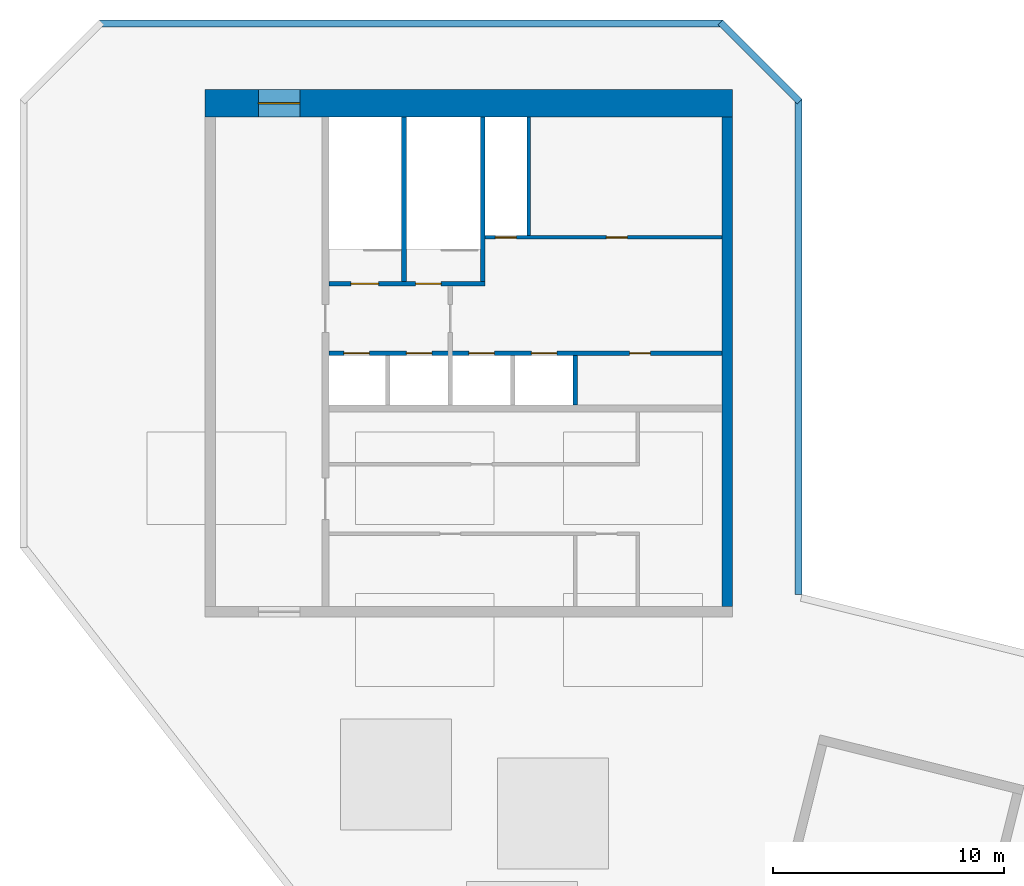
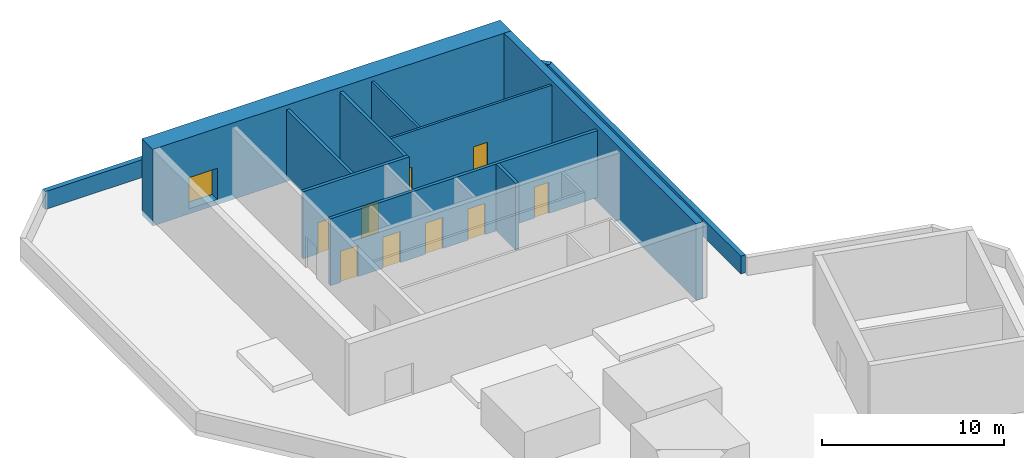
# One storey, part 2 of 4: 12 walls, 10 doors, 10 openings.
"""IFC4 building model written with IfcOpenShell, lengths in metres."""

from ifc_helpers import new_model, si_unit, direction, frame, frame_2d, origin, place, context, subcontext, project, spatial, rectangle, extrude, material, layer, layer_set, type_object, element, fill, save


model = new_model("IFC4")

# Units and contexts
model_context = context("Model", 3, precision=1e-05, world=origin(), true_north=direction((0.0, 1.0)))
body_context = subcontext(model_context, "Body", "Model", "MODEL_VIEW")
ifc_project = project(units=[si_unit("LENGTHUNIT", "METRE"), si_unit("AREAUNIT", "SQUARE_METRE"), si_unit("VOLUMEUNIT", "CUBIC_METRE"), si_unit("PLANEANGLEUNIT", "RADIAN"), si_unit("MASSUNIT", "GRAM", prefix="KILO")], contexts=[model_context])

# Site, building, storey
site_placement = place(None, origin())
site = spatial("IfcSite", under=ifc_project, at=site_placement, CompositionType="ELEMENT")
building_placement = place(site_placement, origin())
building = spatial("IfcBuilding", under=site, at=building_placement, Name="Meshkara Civic Tower", CompositionType="ELEMENT")
storey_placement = place(building_placement, frame((0.0, 0.0, 429.0)))
storey = spatial("IfcBuildingStorey", under=building, at=storey_placement, Name="Roof", CompositionType="ELEMENT", Elevation=429.0)

# Wall, openings, doors
ifc_material_1 = material(Name="Blockwork", Category="masonry")
ifc_layer_1 = layer(ifc_material_1, 0.14990234375)
ifc_layer_set_1 = layer_set([ifc_layer_1], Name="Core partition 150")
wall_type_1 = type_object("IfcWallType", Name="Core partition 150", PredefinedType="PARTITIONING", material=ifc_layer_set_1)
wall_1_placement = place(storey_placement, frame((20.10009765625, 30.5, 0.0), z_axis=(0.0, 0.0, 1.0), x_axis=(1.0, 0.0, 0.0)))
wall_1 = element("IfcWall", 1, at=wall_1_placement, inside=storey, type_object=wall_type_1, Name="Roof-C010", PredefinedType="PARTITIONING", context=body_context, shape_type="SweptSolid", body=[
    extrude(rectangle(XDim=10.25, YDim=0.14990234375, at=frame_2d((5.125, 0.0))), origin(), (0.0, 0.0, 1.0), 4.5),
])
opening_1_placement = place(wall_1_placement, frame((0.449951171875, 0.0, 0.0)))
opening_1 = element("IfcOpeningElement", 2, at=opening_1_placement, cuts=wall_1, Name="Opening Roof-K009", PredefinedType="OPENING", context=body_context, shape_type="SweptSolid", body=[
    extrude(rectangle(XDim=0.89990234375, YDim=2.10009765625, at=frame_2d((0.449951171875, 1.050048828125))), frame((0.0, 0.0849609375, 0.0), z_axis=(0.0, -1.0, 0.0), x_axis=(1.0, 0.0, 0.0)), (0.0, 0.0, 1.0), 0.169921875),
])
opening_2_placement = place(wall_1_placement, frame((5.25, 0.0, 0.0)))
opening_2 = element("IfcOpeningElement", 3, at=opening_2_placement, cuts=wall_1, Name="Opening Roof-K010", PredefinedType="OPENING", context=body_context, shape_type="SweptSolid", body=[
    extrude(rectangle(XDim=0.89990234375, YDim=2.10009765625, at=frame_2d((0.449951171875, 1.050048828125))), frame((0.0, 0.0849609375, 0.0), z_axis=(0.0, -1.0, 0.0), x_axis=(1.0, 0.0, 0.0)), (0.0, 0.0, 1.0), 0.169921875),
])
ifc_material_2 = material(Name="Timber door leaf in steel frame", Category="steel")
door_type_1 = type_object("IfcDoorType", Name="Core room door 900", OperationType="SINGLE_SWING_LEFT", PredefinedType="DOOR", material=ifc_material_2)
door_1_placement = place(opening_2_placement, origin())
door_1 = element("IfcDoor", 4, at=door_1_placement, inside=storey, type_object=door_type_1, Name="Roof-K010", OperationType="SINGLE_SWING_LEFT", OverallHeight=2.10009765625, OverallWidth=0.89990234375, PredefinedType="DOOR", context=body_context, shape_type="SweptSolid", body=[
    extrude(rectangle(XDim=0.89990234375, YDim=2.10009765625, at=frame_2d((0.449951171875, 1.050048828125))), frame((0.0, 0.02490234375, 0.0), z_axis=(0.0, -1.0, 0.0), x_axis=(1.0, 0.0, 0.0)), (0.0, 0.0, 1.0), 0.050048828125),
])
fill(opening_2, door_1)
ifc_material_3 = material(Name="Fire-rated door leaf in steel frame", Category="steel")
door_type_2 = type_object("IfcDoorType", Name="Riser door 900", OperationType="SINGLE_SWING_LEFT", PredefinedType="DOOR", material=ifc_material_3)
door_2_placement = place(opening_1_placement, origin())
door_2 = element("IfcDoor", 5, at=door_2_placement, inside=storey, type_object=door_type_2, Name="Roof-K009", OperationType="SINGLE_SWING_RIGHT", OverallHeight=2.10009765625, OverallWidth=0.89990234375, PredefinedType="DOOR", context=body_context, shape_type="SweptSolid", body=[
    extrude(rectangle(XDim=0.89990234375, YDim=2.10009765625, at=frame_2d((0.449951171875, 1.050048828125))), frame((0.0, 0.02490234375, 0.0), z_axis=(0.0, -1.0, 0.0), x_axis=(1.0, 0.0, 0.0)), (0.0, 0.0, 1.0), 0.050048828125),
])
fill(opening_1, door_2)

# Wall
wall_2_placement = place(storey_placement, frame((22.0, 30.574951171875, 0.0), z_axis=(0.0, 0.0, 1.0), x_axis=(0.0, 1.0, 0.0)))
element("IfcWall", 6, at=wall_2_placement, inside=storey, type_object=wall_type_1, Name="Roof-C017", PredefinedType="PARTITIONING", context=body_context, shape_type="SweptSolid", body=[
    extrude(rectangle(XDim=5.125, YDim=0.14990234375, at=frame_2d((2.5625, 0.0))), origin(), (0.0, 0.0, 1.0), 4.5),
])

# Wall, opening, door
ifc_material_4 = material(Name="Concrete C50", Category="concrete")
ifc_layer_2 = layer(ifc_material_4, 1.199951171875)
ifc_layer_set_2 = layer_set([ifc_layer_2], Name="Core ring wall 1200 C50")
wall_type_2 = type_object("IfcWallType", Name="Core ring wall 1200 C50", PredefinedType="SHEAR", material=ifc_layer_set_2)
wall_3_placement = place(storey_placement, frame((8.0, 36.300048828125, -0.35009765625), z_axis=(0.0, 0.0, 1.0), x_axis=(1.0, 0.0, 0.0)))
wall_3 = element("IfcWall", 7, at=wall_3_placement, inside=storey, type_object=wall_type_2, Name="Roof-C002", PredefinedType="SHEAR", context=body_context, shape_type="SweptSolid", body=[
    extrude(rectangle(XDim=22.800048828125, YDim=1.199951171875, at=frame_2d((11.39990234375, 0.0))), origin(), (0.0, 0.0, 1.0), 5.150146484375),
])
opening_3_placement = place(wall_3_placement, frame((2.300048828125, 0.0, 0.35009765625)))
opening_3 = element("IfcOpeningElement", 8, at=opening_3_placement, cuts=wall_3, Name="Opening Roof-K016", PredefinedType="OPENING", context=body_context, shape_type="SweptSolid", body=[
    extrude(rectangle(XDim=1.800048828125, YDim=2.10009765625, at=frame_2d((0.89990234375, 1.050048828125))), frame((0.0, 0.60986328125, 0.0), z_axis=(0.0, -1.0, 0.0), x_axis=(1.0, 0.0, 0.0)), (0.0, 0.0, 1.0), 1.219970703125),
])
ifc_material_5 = material(Name="Fire-rated door leaf in steel frame", Category="steel")
door_type_3 = type_object("IfcDoorType", Name="Core double door 1800 EI 60", OperationType="DOUBLE_DOOR_SINGLE_SWING", PredefinedType="DOOR", material=ifc_material_5)
door_3_placement = place(opening_3_placement, origin())
door_3 = element("IfcDoor", 9, at=door_3_placement, inside=storey, type_object=door_type_3, Name="Roof-K016", OperationType="DOUBLE_DOOR_SINGLE_SWING", OverallHeight=2.10009765625, OverallWidth=1.800048828125, PredefinedType="DOOR", context=body_context, shape_type="SweptSolid", body=[
    extrude(rectangle(XDim=1.800048828125, YDim=2.10009765625, at=frame_2d((0.89990234375, 1.050048828125))), frame((0.0, 0.02490234375, 0.0), z_axis=(0.0, -1.0, 0.0), x_axis=(1.0, 0.0, 0.0)), (0.0, 0.0, 1.0), 0.050048828125),
])
fill(opening_3, door_3)

# Walls
ifc_material_6 = material(Name="Concrete C50", Category="concrete")
ifc_layer_3 = layer(ifc_material_6, 0.449951171875)
ifc_layer_set_3 = layer_set([ifc_layer_3], Name="Core ring wall 450 C50")
wall_type_3 = type_object("IfcWallType", Name="Core ring wall 450 C50", PredefinedType="SHEAR", material=ifc_layer_set_3)
wall_4_placement = place(storey_placement, frame((30.574951171875, 14.550048828125, -0.35009765625), z_axis=(0.0, 0.0, 1.0), x_axis=(0.0, 1.0, 0.0)))
element("IfcWall", 10, at=wall_4_placement, inside=storey, type_object=wall_type_3, Name="Roof-C004", PredefinedType="SHEAR", context=body_context, shape_type="SweptSolid", body=[
    extrude(rectangle(XDim=21.14990234375, YDim=0.449951171875, at=frame_2d((10.574951171875, 0.0))), origin(), (0.0, 0.0, 1.0), 5.150146484375),
])
ifc_material_7 = material(Name="Concrete C40", Category="concrete")
ifc_layer_4 = layer(ifc_material_7, 0.300048828125)
ifc_layer_set_4 = layer_set([ifc_layer_4], Name="ROOF EDGE PARAPET 300")
wall_type_4 = type_object("IfcWallType", Name="ROOF EDGE PARAPET 300", PredefinedType="PARAPET", material=ifc_layer_set_4)
wall_5_placement = place(storey_placement, frame((33.64990234375, 15.071044921875, 0.0), z_axis=(0.0, 0.0, 1.0), x_axis=(0.0, 1.0, 0.0)))
element("IfcWall", 11, at=wall_5_placement, inside=storey, type_object=wall_type_4, Name="Roof parapet", PredefinedType="PARAPET", context=body_context, shape_type="SweptSolid", body=[
    extrude(rectangle(XDim=21.408935546875, YDim=0.300048828125, at=frame_2d((10.70458984375, 0.0))), origin(), (0.0, 0.0, 1.0), 1.199951171875),
])
wall_6_placement = place(storey_placement, frame((33.694091796875, 36.3740234375, 0.0), z_axis=(0.0, 0.0, 1.0), x_axis=(-0.707132019226, 0.707081542246, 0.0)))
element("IfcWall", 12, at=wall_6_placement, inside=storey, type_object=wall_type_4, Name="Roof parapet", PredefinedType="PARAPET", context=body_context, shape_type="SweptSolid", body=[
    extrude(rectangle(XDim=4.836669921875, YDim=0.300048828125, at=frame_2d((2.41845703125, 0.0))), origin(), (0.0, 0.0, 1.0), 1.199951171875),
])
wall_7_placement = place(storey_placement, frame((30.3798828125, 39.75, 0.0), z_axis=(0.0, 0.0, 1.0), x_axis=(-1.0, 0.0, 0.0)))
element("IfcWall", 13, at=wall_7_placement, inside=storey, type_object=wall_type_4, Name="Roof parapet", PredefinedType="PARAPET", context=body_context, shape_type="SweptSolid", body=[
    extrude(rectangle(XDim=26.9599609375, YDim=0.300048828125, at=frame_2d((13.47998046875, 0.0))), origin(), (0.0, 0.0, 1.0), 1.199951171875),
])

# Wall, openings, doors
ifc_material_8 = material(Name="Concrete C40/50", Category="concrete")
ifc_layer_5 = layer(ifc_material_8, 0.199951171875)
ifc_layer_set_5 = layer_set([ifc_layer_5], Name="Shaft wall 200 C40/50")
wall_type_5 = type_object("IfcWallType", Name="Shaft wall 200 C40/50", PredefinedType="SOLIDWALL", material=ifc_layer_set_5)
wall_8_placement = place(storey_placement, frame((13.35009765625, 25.5, 0.0), z_axis=(0.0, 0.0, 1.0), x_axis=(1.0, 0.0, 0.0)))
wall_8 = element("IfcWall", 14, at=wall_8_placement, inside=storey, type_object=wall_type_5, Name="Roof-C008", PredefinedType="SOLIDWALL", context=body_context, shape_type="SweptSolid", body=[
    extrude(rectangle(XDim=17.0, YDim=0.199951171875, at=frame_2d((8.5, 0.0))), origin(), (0.0, 0.0, 1.0), 4.5),
])
opening_4_placement = place(wall_8_placement, frame((0.64990234375, 0.0, 0.0)))
opening_4 = element("IfcOpeningElement", 15, at=opening_4_placement, cuts=wall_8, Name="Opening Roof-K001", PredefinedType="OPENING", context=body_context, shape_type="SweptSolid", body=[
    extrude(rectangle(XDim=1.10009765625, YDim=2.10009765625, at=frame_2d((0.550048828125, 1.050048828125))), frame((0.0, 0.10986328125, 0.0), z_axis=(0.0, -1.0, 0.0), x_axis=(1.0, 0.0, 0.0)), (0.0, 0.0, 1.0), 0.219970703125),
])
opening_5_placement = place(wall_8_placement, frame((3.35009765625, 0.0, 0.0)))
opening_5 = element("IfcOpeningElement", 16, at=opening_5_placement, cuts=wall_8, Name="Opening Roof-K002", PredefinedType="OPENING", context=body_context, shape_type="SweptSolid", body=[
    extrude(rectangle(XDim=1.10009765625, YDim=2.10009765625, at=frame_2d((0.550048828125, 1.050048828125))), frame((0.0, 0.10986328125, 0.0), z_axis=(0.0, -1.0, 0.0), x_axis=(1.0, 0.0, 0.0)), (0.0, 0.0, 1.0), 0.219970703125),
])
opening_6_placement = place(wall_8_placement, frame((6.050048828125, 0.0, 0.0)))
opening_6 = element("IfcOpeningElement", 17, at=opening_6_placement, cuts=wall_8, Name="Opening Roof-K003", PredefinedType="OPENING", context=body_context, shape_type="SweptSolid", body=[
    extrude(rectangle(XDim=1.10009765625, YDim=2.10009765625, at=frame_2d((0.550048828125, 1.050048828125))), frame((0.0, 0.10986328125, 0.0), z_axis=(0.0, -1.0, 0.0), x_axis=(1.0, 0.0, 0.0)), (0.0, 0.0, 1.0), 0.219970703125),
])
opening_7_placement = place(wall_8_placement, frame((8.75, 0.0, 0.0)))
opening_7 = element("IfcOpeningElement", 18, at=opening_7_placement, cuts=wall_8, Name="Opening Roof-K004", PredefinedType="OPENING", context=body_context, shape_type="SweptSolid", body=[
    extrude(rectangle(XDim=1.10009765625, YDim=2.10009765625, at=frame_2d((0.550048828125, 1.050048828125))), frame((0.0, 0.10986328125, 0.0), z_axis=(0.0, -1.0, 0.0), x_axis=(1.0, 0.0, 0.0)), (0.0, 0.0, 1.0), 0.219970703125),
])
opening_8_placement = place(wall_8_placement, frame((13.0, 0.0, 0.0)))
opening_8 = element("IfcOpeningElement", 19, at=opening_8_placement, cuts=wall_8, Name="Opening Roof-K008", PredefinedType="OPENING", context=body_context, shape_type="SweptSolid", body=[
    extrude(rectangle(XDim=0.89990234375, YDim=2.10009765625, at=frame_2d((0.449951171875, 1.050048828125))), frame((0.0, 0.10986328125, 0.0), z_axis=(0.0, -1.0, 0.0), x_axis=(1.0, 0.0, 0.0)), (0.0, 0.0, 1.0), 0.219970703125),
])
door_4_placement = place(opening_8_placement, origin())
door_4 = element("IfcDoor", 20, at=door_4_placement, inside=storey, type_object=door_type_1, Name="Roof-K008", OperationType="SINGLE_SWING_LEFT", OverallHeight=2.10009765625, OverallWidth=0.89990234375, PredefinedType="DOOR", context=body_context, shape_type="SweptSolid", body=[
    extrude(rectangle(XDim=0.89990234375, YDim=2.10009765625, at=frame_2d((0.449951171875, 1.050048828125))), frame((0.0, 0.02490234375, 0.0), z_axis=(0.0, -1.0, 0.0), x_axis=(1.0, 0.0, 0.0)), (0.0, 0.0, 1.0), 0.050048828125),
])
fill(opening_8, door_4)
ifc_material_9 = material(Name="Stainless steel landing door", Category="steel")
door_type_4 = type_object("IfcDoorType", Name="Lift landing door 1100", OperationType="SLIDING_TO_LEFT", PredefinedType="DOOR", material=ifc_material_9)
door_5_placement = place(opening_4_placement, origin())
door_5 = element("IfcDoor", 21, at=door_5_placement, inside=storey, type_object=door_type_4, Name="Roof-K001", OperationType="SLIDING_TO_LEFT", OverallHeight=2.10009765625, OverallWidth=1.10009765625, PredefinedType="DOOR", context=body_context, shape_type="SweptSolid", body=[
    extrude(rectangle(XDim=1.10009765625, YDim=2.10009765625, at=frame_2d((0.550048828125, 1.050048828125))), frame((0.0, 0.02490234375, 0.0), z_axis=(0.0, -1.0, 0.0), x_axis=(1.0, 0.0, 0.0)), (0.0, 0.0, 1.0), 0.050048828125),
])
fill(opening_4, door_5)
door_6_placement = place(opening_5_placement, origin())
door_6 = element("IfcDoor", 22, at=door_6_placement, inside=storey, type_object=door_type_4, Name="Roof-K002", OperationType="SLIDING_TO_LEFT", OverallHeight=2.10009765625, OverallWidth=1.10009765625, PredefinedType="DOOR", context=body_context, shape_type="SweptSolid", body=[
    extrude(rectangle(XDim=1.10009765625, YDim=2.10009765625, at=frame_2d((0.550048828125, 1.050048828125))), frame((0.0, 0.02490234375, 0.0), z_axis=(0.0, -1.0, 0.0), x_axis=(1.0, 0.0, 0.0)), (0.0, 0.0, 1.0), 0.050048828125),
])
fill(opening_5, door_6)
door_7_placement = place(opening_6_placement, origin())
door_7 = element("IfcDoor", 23, at=door_7_placement, inside=storey, type_object=door_type_4, Name="Roof-K003", OperationType="SLIDING_TO_LEFT", OverallHeight=2.10009765625, OverallWidth=1.10009765625, PredefinedType="DOOR", context=body_context, shape_type="SweptSolid", body=[
    extrude(rectangle(XDim=1.10009765625, YDim=2.10009765625, at=frame_2d((0.550048828125, 1.050048828125))), frame((0.0, 0.02490234375, 0.0), z_axis=(0.0, -1.0, 0.0), x_axis=(1.0, 0.0, 0.0)), (0.0, 0.0, 1.0), 0.050048828125),
])
fill(opening_6, door_7)
door_8_placement = place(opening_7_placement, origin())
door_8 = element("IfcDoor", 24, at=door_8_placement, inside=storey, type_object=door_type_4, Name="Roof-K004", OperationType="SLIDING_TO_LEFT", OverallHeight=2.10009765625, OverallWidth=1.10009765625, PredefinedType="DOOR", context=body_context, shape_type="SweptSolid", body=[
    extrude(rectangle(XDim=1.10009765625, YDim=2.10009765625, at=frame_2d((0.550048828125, 1.050048828125))), frame((0.0, 0.02490234375, 0.0), z_axis=(0.0, -1.0, 0.0), x_axis=(1.0, 0.0, 0.0)), (0.0, 0.0, 1.0), 0.050048828125),
])
fill(opening_7, door_8)

# Wall
wall_9_placement = place(storey_placement, frame((24.0, 23.25, 0.0), z_axis=(0.0, 0.0, 1.0), x_axis=(0.0, 1.0, 0.0)))
element("IfcWall", 25, at=wall_9_placement, inside=storey, type_object=wall_type_5, Name="Roof-C019", PredefinedType="SOLIDWALL", context=body_context, shape_type="SweptSolid", body=[
    extrude(rectangle(XDim=2.14990234375, YDim=0.199951171875, at=frame_2d((1.074951171875, 0.0))), origin(), (0.0, 0.0, 1.0), 4.5),
])

# Wall, openings, doors
ifc_material_10 = material(Name="Concrete C40/50", Category="concrete")
ifc_layer_6 = layer(ifc_material_10, 0.199951171875)
ifc_layer_set_6 = layer_set([ifc_layer_6], Name="Stair enclosure wall 200 C40/50")
wall_type_6 = type_object("IfcWallType", Name="Stair enclosure wall 200 C40/50", PredefinedType="SOLIDWALL", material=ifc_layer_set_6)
wall_10_placement = place(storey_placement, frame((13.35009765625, 28.5, 0.0), z_axis=(0.0, 0.0, 1.0), x_axis=(1.0, 0.0, 0.0)))
wall_10 = element("IfcWall", 26, at=wall_10_placement, inside=storey, type_object=wall_type_6, Name="Roof-C009", PredefinedType="SOLIDWALL", context=body_context, shape_type="SweptSolid", body=[
    extrude(rectangle(XDim=6.75, YDim=0.199951171875, at=frame_2d((3.375, 0.0))), origin(), (0.0, 0.0, 1.0), 4.5),
])
opening_9_placement = place(wall_10_placement, frame((0.949951171875, 0.0, 0.0)))
opening_9 = element("IfcOpeningElement", 27, at=opening_9_placement, cuts=wall_10, Name="Opening Roof-K011", PredefinedType="OPENING", context=body_context, shape_type="SweptSolid", body=[
    extrude(rectangle(XDim=1.199951171875, YDim=2.10009765625, at=frame_2d((0.60009765625, 1.050048828125))), frame((0.0, 0.10986328125, 0.0), z_axis=(0.0, -1.0, 0.0), x_axis=(1.0, 0.0, 0.0)), (0.0, 0.0, 1.0), 0.219970703125),
])
opening_10_placement = place(wall_10_placement, frame((3.75, 0.0, 0.0)))
opening_10 = element("IfcOpeningElement", 28, at=opening_10_placement, cuts=wall_10, Name="Opening Roof-K012", PredefinedType="OPENING", context=body_context, shape_type="SweptSolid", body=[
    extrude(rectangle(XDim=1.10009765625, YDim=2.10009765625, at=frame_2d((0.550048828125, 1.050048828125))), frame((0.0, 0.10986328125, 0.0), z_axis=(0.0, -1.0, 0.0), x_axis=(1.0, 0.0, 0.0)), (0.0, 0.0, 1.0), 0.219970703125),
])
ifc_material_11 = material(Name="Fire-rated door leaf in steel frame", Category="steel")
door_type_5 = type_object("IfcDoorType", Name="Stair door 1100 EI 120", OperationType="SINGLE_SWING_LEFT", PredefinedType="DOOR", material=ifc_material_11)
door_9_placement = place(opening_10_placement, origin())
door_9 = element("IfcDoor", 29, at=door_9_placement, inside=storey, type_object=door_type_5, Name="Roof-K012", OperationType="SINGLE_SWING_LEFT", OverallHeight=2.10009765625, OverallWidth=1.10009765625, PredefinedType="DOOR", context=body_context, shape_type="SweptSolid", body=[
    extrude(rectangle(XDim=1.10009765625, YDim=2.10009765625, at=frame_2d((0.550048828125, 1.050048828125))), frame((0.0, 0.02490234375, 0.0), z_axis=(0.0, -1.0, 0.0), x_axis=(1.0, 0.0, 0.0)), (0.0, 0.0, 1.0), 0.050048828125),
])
fill(opening_10, door_9)
ifc_material_12 = material(Name="Fire-rated door leaf in steel frame", Category="steel")
door_type_6 = type_object("IfcDoorType", Name="Stair door 1200 EI 120", OperationType="SINGLE_SWING_LEFT", PredefinedType="DOOR", material=ifc_material_12)
door_10_placement = place(opening_9_placement, origin())
door_10 = element("IfcDoor", 30, at=door_10_placement, inside=storey, type_object=door_type_6, Name="Roof-K011", OperationType="SINGLE_SWING_RIGHT", OverallHeight=2.10009765625, OverallWidth=1.199951171875, PredefinedType="DOOR", context=body_context, shape_type="SweptSolid", body=[
    extrude(rectangle(XDim=1.199951171875, YDim=2.10009765625, at=frame_2d((0.60009765625, 1.050048828125))), frame((0.0, 0.02490234375, 0.0), z_axis=(0.0, -1.0, 0.0), x_axis=(1.0, 0.0, 0.0)), (0.0, 0.0, 1.0), 0.050048828125),
])
fill(opening_9, door_10)

# Walls
for number, where, z_axis, x_axis, name in (
    (31, (16.60009765625, 28.60009765625, 0.0), (0.0, 0.0, 1.0), (0.0, 1.0, 0.0), "Roof-C013"),
    (32, (20.0, 28.60009765625, 0.0), (0.0, 0.0, 1.0), (0.0, 1.0, 0.0), "Roof-C015"),
):
    element("IfcWall", number, at=place(storey_placement, frame(where, z_axis=z_axis, x_axis=x_axis)), inside=storey, type_object=wall_type_6, Name=name, PredefinedType="SOLIDWALL", context=body_context, shape_type="SweptSolid", body=[
        extrude(rectangle(XDim=7.099853515625, YDim=0.199951171875, at=frame_2d((3.5498046875, 0.0))), origin(), (0.0, 0.0, 1.0), 4.5),
    ])

save(model, "model.ifc")
